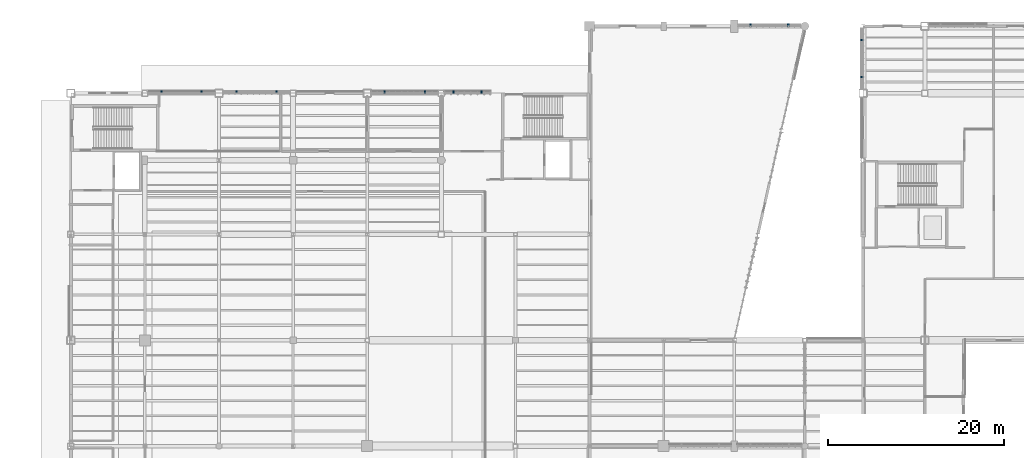
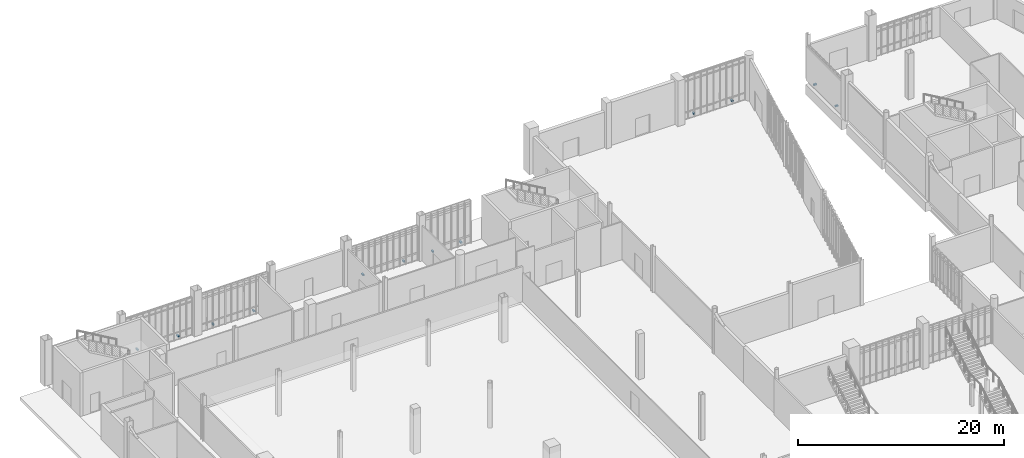
# One storey, part 97 of 111: 12 discrete accessories.
"""IFC4 building model written with IfcOpenShell, lengths in metres."""

from ifc_helpers import new_model, si_unit, direction, frame, origin, origin_2d, place, context, subcontext, project, spatial, rectangle, extrude, material, layer, layer_set, type_object, element, save


model = new_model("IFC4")

# Units and contexts
model_context = context("Model", 3, precision=1e-05, world=origin(), true_north=direction((0.0, 1.0)))
body_context = subcontext(model_context, "Body", "Model", "MODEL_VIEW")
ifc_project = project(units=[si_unit("LENGTHUNIT", "METRE"), si_unit("AREAUNIT", "SQUARE_METRE"), si_unit("VOLUMEUNIT", "CUBIC_METRE"), si_unit("PLANEANGLEUNIT", "RADIAN"), si_unit("MASSUNIT", "GRAM", prefix="KILO")], contexts=[model_context])

# Site, building, storey
site_placement = place(None, origin())
site = spatial("IfcSite", under=ifc_project, at=site_placement, CompositionType="ELEMENT")
building_placement = place(site_placement, origin())
building = spatial("IfcBuilding", under=site, at=building_placement, Name="Larkvane Passage Sports Hall", CompositionType="ELEMENT")
storey_placement = place(building_placement, origin())
storey = spatial("IfcBuildingStorey", under=building, at=storey_placement, Name="L00", CompositionType="ELEMENT", Elevation=0.0)

# Discrete accessories
ifc_material = material(Name="Steel S355JR", Category="steel")
ifc_layer = layer(ifc_material, 0.179931640625)
ifc_layer_set = layer_set([ifc_layer], Name="Steel S355JR")
discrete_accessory_type = type_object("IfcDiscreteAccessoryType", Name="ACC-BRACKET-STL", PredefinedType="BRACKET", material=ifc_layer_set)
for number, where, z_axis, x_axis, name in (
    (1, (45.067626953125, 91.719970703125, 0.26025390625), (0.0, 0.0, 1.0), (1.0, 0.0, 0.0), "Veil outrigger bracket L00-005-1"),
    (2, (49.63232421875, 91.719970703125, 0.26025390625), (0.0, 0.0, 1.0), (1.0, 0.0, 0.0), "Veil outrigger bracket L00-005-2"),
    (3, (53.567626953125, 91.719970703125, 0.26025390625), (0.0, 0.0, 1.0), (1.0, 0.0, 0.0), "Veil outrigger bracket L00-006-1"),
    (4, (58.13232421875, 91.719970703125, 0.26025390625), (0.0, 0.0, 1.0), (1.0, 0.0, 0.0), "Veil outrigger bracket L00-006-2"),
    (5, (70.36767578125, 91.719970703125, 0.26025390625), (0.0, 0.0, 1.0), (1.0, 0.0, 0.0), "Veil outrigger bracket L00-007-1"),
    (6, (74.932373046875, 91.719970703125, 0.26025390625), (0.0, 0.0, 1.0), (1.0, 0.0, 0.0), "Veil outrigger bracket L00-007-2"),
    (7, (78.19677734375, 91.719970703125, 0.26025390625), (0.0, 0.0, 1.0), (1.0, 0.0, 0.0), "Veil outrigger bracket L00-008-1"),
    (8, (81.34912109375, 91.719970703125, 0.26025390625), (0.0, 0.0, 1.0), (1.0, 0.0, 0.0), "Veil outrigger bracket L00-008-2"),
    (9, (111.82763671875, 99.320068359375, 0.26025390625), (0.0, 0.0, 1.0), (1.0, 0.0, 0.0), "Veil outrigger bracket L00-009-1"),
    (10, (116.122314453125, 99.320068359375, 0.26025390625), (0.0, 0.0, 1.0), (1.0, 0.0, 0.0), "Veil outrigger bracket L00-009-2"),
    (11, (124.47998046875, 93.442626953125, 0.26025390625), (0.0, 0.0, 1.0), (0.0, 1.0, 0.0), "Veil outrigger bracket L00-012-1"),
    (12, (124.47998046875, 97.63232421875, 0.26025390625), (0.0, 0.0, 1.0), (0.0, 1.0, 0.0), "Veil outrigger bracket L00-012-2"),
):
    element("IfcDiscreteAccessory", number, at=place(storey_placement, frame(where, z_axis=z_axis, x_axis=x_axis)), inside=storey, type_object=discrete_accessory_type, Name=name, PredefinedType="BRACKET", context=body_context, shape_type="SweptSolid", body=[
        extrude(rectangle(XDim=0.179931640625, YDim=0.320068359375, at=origin_2d()), origin(), (0.0, 0.0, 1.0), 0.179931640625),
    ])

save(model, "model.ifc")
